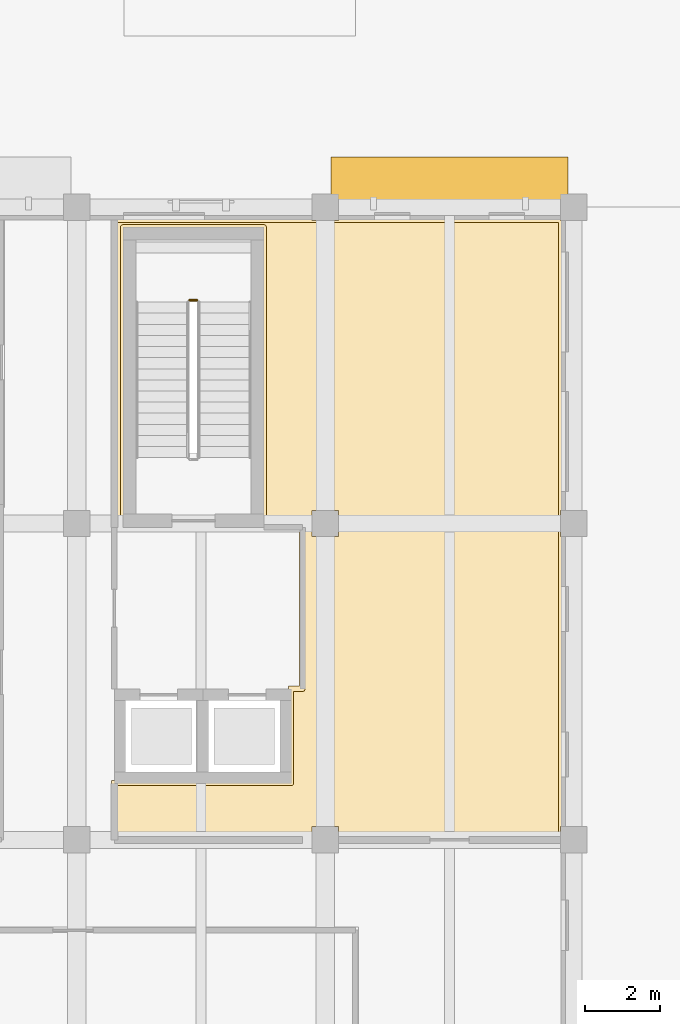
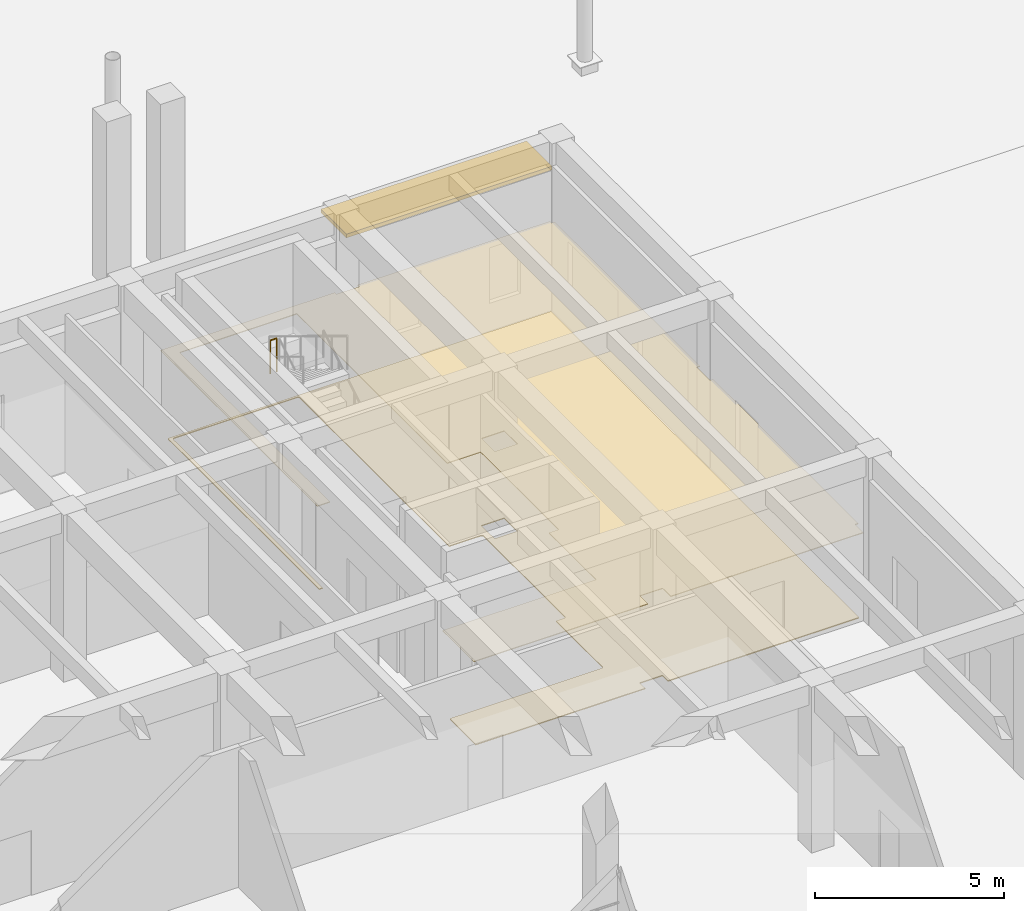
# One storey, part 73 of 82: 2 coverings, 1 railing, 1 shading device.
"""IFC4 building model written with IfcOpenShell, lengths in metres."""

from ifc_helpers import new_model, si_unit, direction, frame, origin, origin_2d, place, context, subcontext, project, spatial, polyline, rectangle, circle, outline, extrude, material, layer, layer_set, type_object, element, save


model = new_model("IFC4")

# Units and contexts
model_context = context("Model", 3, precision=1e-05, world=origin(), true_north=direction((0.0, 1.0)))
body_context = subcontext(model_context, "Body", "Model", "MODEL_VIEW")
ifc_project = project(units=[si_unit("LENGTHUNIT", "METRE"), si_unit("AREAUNIT", "SQUARE_METRE"), si_unit("VOLUMEUNIT", "CUBIC_METRE"), si_unit("PLANEANGLEUNIT", "RADIAN"), si_unit("MASSUNIT", "GRAM", prefix="KILO")], contexts=[model_context])

# Site, building, storey
site_placement = place(None, origin())
site = spatial("IfcSite", under=ifc_project, at=site_placement, CompositionType="ELEMENT")
building_placement = place(site_placement, origin())
building = spatial("IfcBuilding", under=site, at=building_placement, Name="Kolvaren Faculty of Natural Sciences", CompositionType="ELEMENT")
storey_placement = place(building_placement, origin())
storey = spatial("IfcBuildingStorey", under=building, at=storey_placement, Name="L00", CompositionType="ELEMENT", Elevation=0.0)

# Covering
ifc_material_1 = material(Name="Perforated mineral-fibre acoustic suspended ceiling tile")
ifc_layer_1 = layer(ifc_material_1, 0.02490234375)
ifc_layer_set_1 = layer_set([ifc_layer_1], Name="Perforated mineral-fibre acoustic suspended ceiling tile")
covering_type_1 = type_object("IfcCoveringType", Name="AcousticSuspendedCeiling_25", PredefinedType="CEILING", material=ifc_layer_set_1)
covering_1_placement = place(storey_placement, frame((0.0, 0.0, 2.824951171875)))
element("IfcCovering", 1, at=covering_1_placement, inside=storey, type_object=covering_type_1, Name="L00 Cleanroom Instrumentation Suite acoustic ceiling", PredefinedType="CEILING", context=body_context, shape_type="SweptSolid", body=[
    extrude(outline(polyline([(39.1201171875, 29.47998046875), (39.1201171875, 33.6201171875), (38.094970703125, 33.6201171875), (38.094970703125, 41.594970703125), (34.5048828125, 41.594970703125), (34.5048828125, 33.6201171875), (34.1201171875, 33.6201171875), (34.1201171875, 41.93994140625), (39.449951171875, 41.93994140625), (39.449951171875, 41.85009765625), (40.14990234375, 41.85009765625), (40.14990234375, 41.93994140625), (46.050048828125, 41.93994140625), (46.050048828125, 41.85009765625), (46.139892578125, 41.85009765625), (46.139892578125, 34.14990234375), (46.050048828125, 34.14990234375), (46.050048828125, 33.449951171875), (46.139892578125, 33.449951171875), (46.139892578125, 25.75), (46.050048828125, 25.75), (46.050048828125, 25.320068359375), (40.14990234375, 25.320068359375), (40.14990234375, 25.75), (39.449951171875, 25.75), (39.449951171875, 25.320068359375), (34.1201171875, 25.320068359375), (34.1201171875, 26.97998046875), (38.820068359375, 26.97998046875), (38.820068359375, 29.47998046875), (39.1201171875, 29.47998046875)]), holes=[polyline([(40.14990234375, 34.14990234375), (39.449951171875, 34.14990234375), (39.449951171875, 33.449951171875), (40.14990234375, 33.449951171875), (40.14990234375, 34.14990234375)])]), origin(), (0.0, 0.0, 1.0), 0.025146484375),
])

# Shading device
ifc_material_2 = material(Name="Precast concrete C35/45", Category="concrete")
ifc_layer_2 = layer(ifc_material_2, 0.1201171875)
ifc_layer_set_2 = layer_set([ifc_layer_2], Name="Precast concrete C35/45")
shading_device_type = type_object("IfcShadingDeviceType", Name="ChhajjaSolarHood_1350", PredefinedType="AWNING", material=ifc_layer_set_2)
shading_device_placement = place(storey_placement, frame((43.10009765625, 42.85498046875, 4.294921875), z_axis=(0.0, 0.0, 1.0), x_axis=(1.0, 0.0, 0.0)))
element("IfcShadingDevice", 2, at=shading_device_placement, inside=storey, type_object=shading_device_type, Name="L00 precast sandstone chhajja solar hood 6", PredefinedType="AWNING", context=body_context, shape_type="SweptSolid", body=[
    extrude(rectangle(XDim=6.300048828125, YDim=1.35009765625, at=origin_2d()), origin(), (0.0, 0.0, 1.0), 0.1201171875),
])

# Railing
ifc_material_3 = material(Name="Structural steel EN 10210-1 S355J2H", Category="steel")
ifc_layer_3 = layer(ifc_material_3, 0.048095703125)
ifc_layer_set_3 = layer_set([ifc_layer_3], Name="Structural steel EN 10210-1 S355J2H")
railing_type = type_object("IfcRailingType", Name="StairWellGuard_1100", PredefinedType="BALUSTRADE", material=ifc_layer_set_3)
railing_placement = place(storey_placement, frame((36.39990234375, 39.72998046875, 2.699951171875)))
element("IfcRailing", 3, at=railing_placement, inside=storey, type_object=railing_type, Name="L00 ST-4 stair guard 2", PredefinedType="BALUSTRADE", context=body_context, shape_type="SweptSolid", body=[
    extrude(circle(Radius=0.02392578125, at=origin_2d()), frame((0.0, 0.0, 1.076171875), z_axis=(-1.0, 0.0, 0.0), x_axis=(0.0, -1.0, 0.0)), (0.0, 0.0, 1.0), 0.199951171875),
    extrude(circle(Radius=0.02099609375, at=origin_2d()), origin(), (0.0, 0.0, 1.0), 1.052001953125),
    extrude(circle(Radius=0.02099609375, at=origin_2d()), frame((-0.199951171875, 0.0, 0.0)), (0.0, 0.0, 1.0), 1.052001953125),
])

# Covering
ifc_material_4 = material(Name="Polished Uruguayan grey granite terrazzo flooring", Category="masonry")
ifc_layer_4 = layer(ifc_material_4, 0.030029296875)
ifc_layer_set_4 = layer_set([ifc_layer_4], Name="Polished Uruguayan grey granite terrazzo flooring")
covering_type_2 = type_object("IfcCoveringType", Name="TerrazzoFloorFinish_30", PredefinedType="FLOORING", material=ifc_layer_set_4)
covering_2_placement = place(storey_placement, origin())
element("IfcCovering", 4, at=covering_2_placement, inside=storey, type_object=covering_type_2, Name="L00 Cleanroom Instrumentation Suite floor finish", PredefinedType="FLOORING", context=body_context, shape_type="SweptSolid", body=[
    extrude(outline(polyline([(38.906005859375, 26.84033203125), (38.91162109375, 26.84130859375), (38.91748046875, 26.842529296875), (38.923095703125, 26.844482421875), (38.92822265625, 26.84716796875), (38.933349609375, 26.85009765625), (38.93798828125, 26.853515625), (38.9423828125, 26.857666015625), (38.9462890625, 26.86181640625), (38.949951171875, 26.86669921875), (38.952880859375, 26.87158203125), (38.955322265625, 26.876953125), (38.95751953125, 26.882568359375), (38.958740234375, 26.88818359375), (38.959716796875, 26.89404296875), (38.9599609375, 26.89990234375), (38.9599609375, 29.340087890625), (39.199951171875, 29.340087890625), (39.205810546875, 29.34033203125), (39.211669921875, 29.34130859375), (39.21728515625, 29.342529296875), (39.222900390625, 29.344482421875), (39.228271484375, 29.34716796875), (39.2333984375, 29.35009765625), (39.238037109375, 29.353515625), (39.242431640625, 29.357666015625), (39.246337890625, 29.36181640625), (39.25, 29.36669921875), (39.2529296875, 29.37158203125), (39.25537109375, 29.376953125), (39.25732421875, 29.382568359375), (39.2587890625, 29.38818359375), (39.259765625, 29.39404296875), (39.260009765625, 29.39990234375), (39.260009765625, 33.699951171875), (39.259765625, 33.705810546875), (39.2587890625, 33.711669921875), (39.25732421875, 33.71728515625), (39.25537109375, 33.722900390625), (39.2529296875, 33.728271484375), (39.25, 33.7333984375), (39.246337890625, 33.738037109375), (39.242431640625, 33.742431640625), (39.238037109375, 33.746337890625), (39.2333984375, 33.75), (39.228271484375, 33.7529296875), (39.222900390625, 33.75537109375), (39.21728515625, 33.75732421875), (39.211669921875, 33.7587890625), (39.205810546875, 33.759765625), (39.199951171875, 33.760009765625), (38.235107421875, 33.760009765625), (38.235107421875, 41.675048828125), (38.234619140625, 41.680908203125), (38.23388671875, 41.686767578125), (38.232421875, 41.6923828125), (38.23046875, 41.697998046875), (38.227783203125, 41.703369140625), (38.224853515625, 41.708251953125), (38.221435546875, 41.713134765625), (38.21728515625, 41.71728515625), (38.213134765625, 41.721435546875), (38.208251953125, 41.724853515625), (38.203369140625, 41.727783203125), (38.197998046875, 41.73046875), (38.1923828125, 41.732421875), (38.186767578125, 41.73388671875), (38.180908203125, 41.734619140625), (38.175048828125, 41.735107421875), (34.425048828125, 41.735107421875), (34.419189453125, 41.734619140625), (34.413330078125, 41.73388671875), (34.40771484375, 41.732421875), (34.402099609375, 41.73046875), (34.396728515625, 41.727783203125), (34.3916015625, 41.724853515625), (34.386962890625, 41.721435546875), (34.382568359375, 41.71728515625), (34.378662109375, 41.713134765625), (34.375, 41.708251953125), (34.3720703125, 41.703369140625), (34.36962890625, 41.697998046875), (34.36767578125, 41.6923828125), (34.3662109375, 41.686767578125), (34.365234375, 41.680908203125), (34.364990234375, 41.675048828125), (34.364990234375, 33.760009765625), (34.260009765625, 33.760009765625), (34.260009765625, 41.800048828125), (46.0, 41.800048828125), (46.0, 25.4599609375), (40.14990234375, 25.4599609375), (40.14990234375, 25.75), (39.449951171875, 25.75), (39.449951171875, 25.4599609375), (34.260009765625, 25.4599609375), (34.260009765625, 26.840087890625), (38.89990234375, 26.840087890625), (38.906005859375, 26.84033203125)]), holes=[polyline([(40.14990234375, 34.14990234375), (39.449951171875, 34.14990234375), (39.449951171875, 33.449951171875), (40.14990234375, 33.449951171875), (40.14990234375, 34.14990234375)])]), origin(), (0.0, 0.0, 1.0), 0.030029296875),
])

save(model, "model.ifc")
